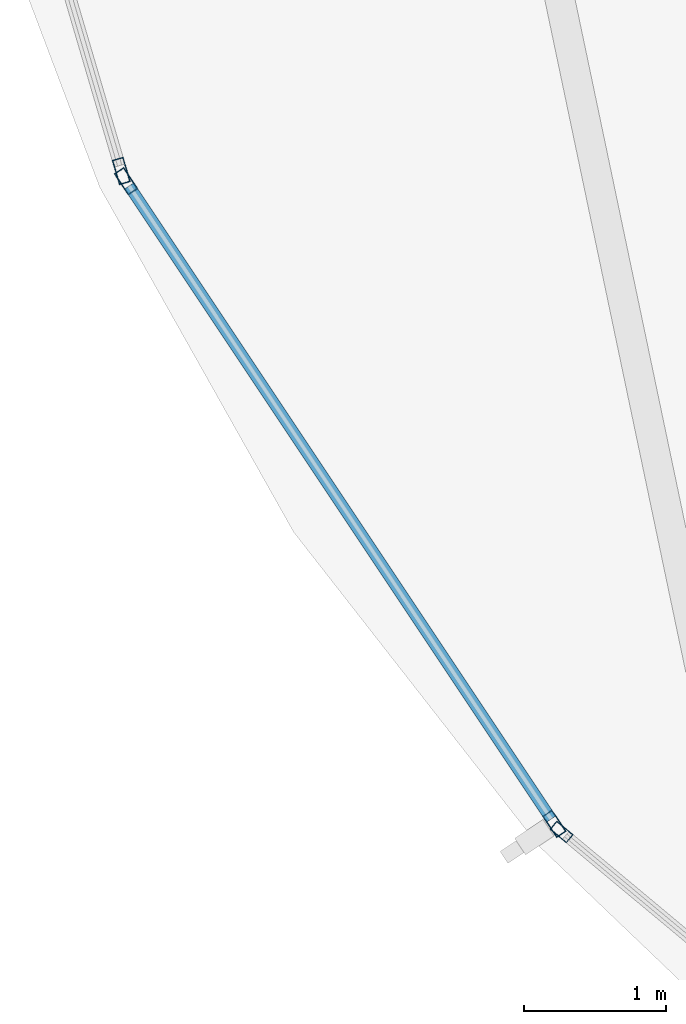
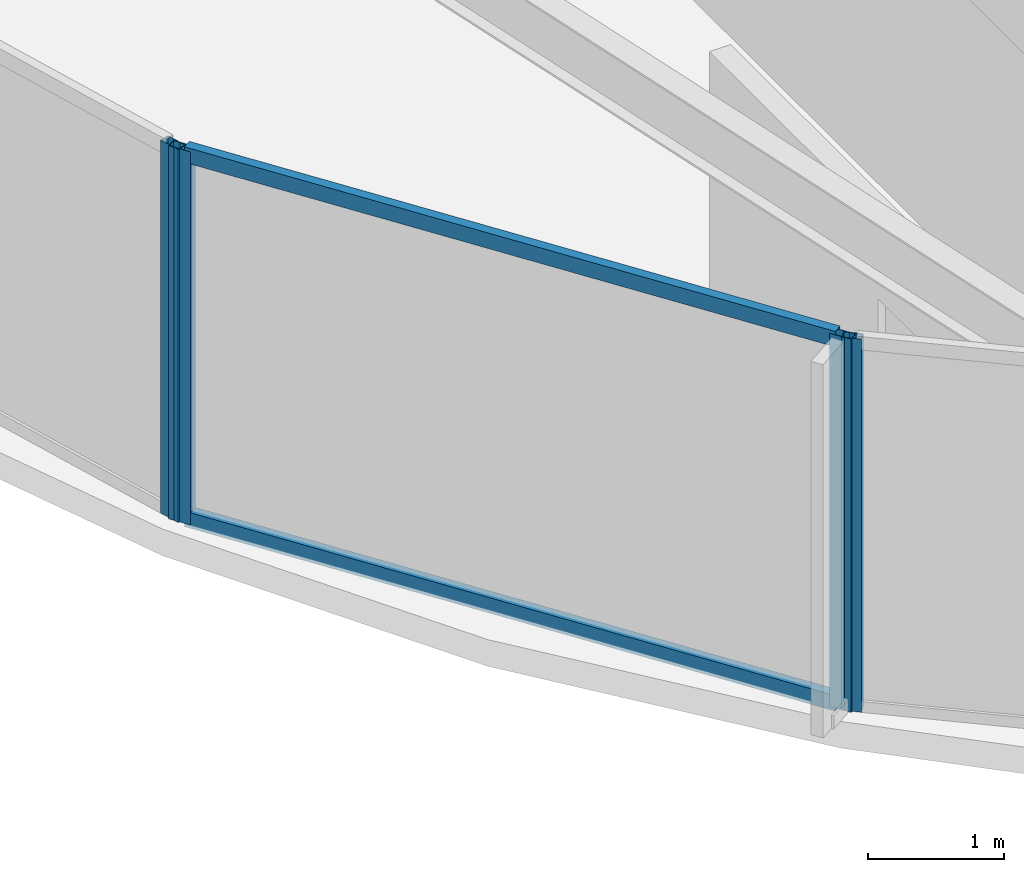
# One storey, part 3 of 31: 6 members, 3 elements without a shape of their own.
"""IFC4 building model written with IfcOpenShell, lengths in metres."""

from ifc_helpers import new_model, si_unit, direction, frame, origin, origin_2d, place, context, subcontext, project, spatial, hollow_rectangle, extrude, material, layer, layer_set, material_profile, profile_set, type_object, element, aggregate, save


model = new_model("IFC4")

# Units and contexts
model_context = context("Model", 3, precision=1e-05, world=origin(), true_north=direction((0.0, 1.0)))
body_context = subcontext(model_context, "Body", "Model", "MODEL_VIEW")
ifc_project = project(units=[si_unit("LENGTHUNIT", "METRE"), si_unit("AREAUNIT", "SQUARE_METRE"), si_unit("VOLUMEUNIT", "CUBIC_METRE"), si_unit("PLANEANGLEUNIT", "RADIAN"), si_unit("MASSUNIT", "GRAM", prefix="KILO")], contexts=[model_context])

# Site, building, storey
site_placement = place(None, origin())
site = spatial("IfcSite", under=ifc_project, at=site_placement, CompositionType="ELEMENT")
building_placement = place(site_placement, origin())
building = spatial("IfcBuilding", under=site, at=building_placement, Name="Kazevale Care Tower and Concert Hall", CompositionType="ELEMENT")
storey_placement = place(building_placement, frame((0.0, 0.0, 206.39990234375)))
storey = spatial("IfcBuildingStorey", under=building, at=storey_placement, Name="L54", CompositionType="ELEMENT", Elevation=206.39990234375)

# Curtain wall, members
ifc_material_1 = material(Name="Aluminium 6063-T6 and Low-E Glass", Category="aluminium")
ifc_layer_1 = layer(ifc_material_1, 0.179931640625)
ifc_layer_set_1 = layer_set([ifc_layer_1], Name="Aluminium 6063-T6 and Low-E Glass")
curtain_wall_type_1 = type_object("IfcCurtainWallType", Name="Waist & Upper Residential Curtain Wall CW-4", PredefinedType="NOTDEFINED", material=ifc_layer_set_1)
curtain_wall_1_placement = place(storey_placement, origin())
curtain_wall_1 = element("IfcCurtainWall", 1, at=curtain_wall_1_placement, inside=storey, type_object=curtain_wall_type_1, Name="cw:L54:f11", PredefinedType="NOTDEFINED")
ifc_material_2 = material(Name="Aluminium 6063-T6", Category="aluminium")
ifc_material_profile_1 = material_profile(ifc_material_2, hollow_rectangle(XDim=0.080078125, YDim=0.179931640625, WallThickness=0.0048828125, at=origin_2d()), Name="ALU80x180x5")
ifc_profile_set_1 = profile_set([ifc_material_profile_1], Name="Aluminium 6063-T6")
member_type_1 = type_object("IfcMemberType", Name="CW-4 Mullion ALU80x180x5", PredefinedType="MULLION", material=ifc_profile_set_1)
member_1_placement = place(storey_placement, frame((18.185791015625, 25.26318359375, 0.0), z_axis=(0.0, 0.0, 1.0), x_axis=(-0.832106058512, -0.554616540853, 0.0)))
member_1 = element("IfcMember", 2, at=member_1_placement, type_object=member_type_1, Name="CW-4 mullion 1", PredefinedType="MULLION", context=body_context, shape_type="SweptSolid", body=[
    extrude(hollow_rectangle(XDim=0.080078125, YDim=0.179931640625, WallThickness=0.0048828125, at=origin_2d()), origin(), (0.0, 0.0, 1.0), 3.360107421875),
])
member_2_placement = place(storey_placement, frame((15.170166015625, 29.78759765625, 0.0), z_axis=(0.0, 0.0, 1.0), x_axis=(-0.832106058512, -0.554616540853, 0.0)))
member_2 = element("IfcMember", 3, at=member_2_placement, type_object=member_type_1, Name="CW-4 mullion 2", PredefinedType="MULLION", context=body_context, shape_type="SweptSolid", body=[
    extrude(hollow_rectangle(XDim=0.080078125, YDim=0.179931640625, WallThickness=0.0048828125, at=origin_2d()), origin(), (0.0, 0.0, 1.0), 3.360107421875),
])

# Curtain wall, member
curtain_wall_2_placement = place(storey_placement, origin())
curtain_wall_2 = element("IfcCurtainWall", 4, at=curtain_wall_2_placement, inside=storey, type_object=curtain_wall_type_1, Name="cw:L54:f12", PredefinedType="NOTDEFINED")
member_3_placement = place(storey_placement, frame((15.13671875, 29.859375, 0.0), z_axis=(0.0, 0.0, 1.0), x_axis=(-0.959385539982, -0.282098184457, 0.0)))
member_3 = element("IfcMember", 5, at=member_3_placement, type_object=member_type_1, Name="CW-4 mullion 1", PredefinedType="MULLION", context=body_context, shape_type="SweptSolid", body=[
    extrude(hollow_rectangle(XDim=0.080078125, YDim=0.179931640625, WallThickness=0.0048828125, at=origin_2d()), origin(), (0.0, 0.0, 1.0), 3.360107421875),
])
aggregate(curtain_wall_2, [member_3])

# Member
ifc_material_profile_2 = material_profile(ifc_material_2, hollow_rectangle(XDim=0.080078125, YDim=0.139892578125, WallThickness=0.00390625, at=origin_2d()), Name="ALU80x140x4")
ifc_profile_set_2 = profile_set([ifc_material_profile_2], Name="Aluminium 6063-T6")
member_type_2 = type_object("IfcMemberType", Name="CW-4 Transom ALU80x140x4", PredefinedType="USERDEFINED", material=ifc_profile_set_2)
member_4_placement = place(storey_placement, frame((18.16357421875, 25.296630859375, 0.0400390625), z_axis=(-0.554616059735, 0.832106379187, 0.0), x_axis=(-0.832106379187, -0.554616059735, 0.0)))
member_4 = element("IfcMember", 6, at=member_4_placement, type_object=member_type_2, Name="CW-4 transom 1.1", ObjectType="TRANSOM", PredefinedType="USERDEFINED", context=body_context, shape_type="SweptSolid", body=[
    extrude(hollow_rectangle(XDim=0.080078125, YDim=0.139892578125, WallThickness=0.00390625, at=origin_2d()), origin(), (0.0, 0.0, 1.0), 5.357177734375),
])

member_5_placement = place(storey_placement, frame((18.16357421875, 25.296630859375, 3.320068359375), z_axis=(-0.554616059735, 0.832106379187, 0.0), x_axis=(-0.832106379187, -0.554616059735, 0.0)))
member_5 = element("IfcMember", 7, at=member_5_placement, type_object=member_type_2, Name="CW-4 transom 1.2", ObjectType="TRANSOM", PredefinedType="USERDEFINED", context=body_context, shape_type="SweptSolid", body=[
    extrude(hollow_rectangle(XDim=0.080078125, YDim=0.139892578125, WallThickness=0.00390625, at=origin_2d()), origin(), (0.0, 0.0, 1.0), 5.357177734375),
])

aggregate(curtain_wall_1, [member_1, member_2, member_4, member_5])

# Curtain wall, member
ifc_layer_2 = layer(ifc_material_1, 0.179931640625)
ifc_layer_set_2 = layer_set([ifc_layer_2], Name="Aluminium 6063-T6 and Low-E Glass")
curtain_wall_type_2 = type_object("IfcCurtainWallType", Name="Sheltered Concave Balcony Curtain Wall CW-5", PredefinedType="NOTDEFINED", material=ifc_layer_set_2)
curtain_wall_3_placement = place(storey_placement, origin())
curtain_wall_3 = element("IfcCurtainWall", 8, at=curtain_wall_3_placement, inside=storey, type_object=curtain_wall_type_2, Name="cw:L54:f10", PredefinedType="NOTDEFINED")
ifc_material_profile_3 = material_profile(ifc_material_2, hollow_rectangle(XDim=0.074951171875, YDim=0.14990234375, WallThickness=0.00390625, at=origin_2d()), Name="ALU75x150x4")
ifc_profile_set_3 = profile_set([ifc_material_profile_3], Name="Aluminium 6063-T6")
member_type_3 = type_object("IfcMemberType", Name="CW-5 Mullion ALU75x150x4", PredefinedType="MULLION", material=ifc_profile_set_3)
member_6_placement = place(storey_placement, frame((18.23681640625, 25.2060546875, 0.0), z_axis=(0.0, 0.0, 1.0), x_axis=(-0.639961217204, -0.768407210062, 0.0)))
member_6 = element("IfcMember", 9, at=member_6_placement, type_object=member_type_3, Name="CW-5 mullion 2", PredefinedType="MULLION", context=body_context, shape_type="SweptSolid", body=[
    extrude(hollow_rectangle(XDim=0.074951171875, YDim=0.14990234375, WallThickness=0.00390625, at=origin_2d()), origin(), (0.0, 0.0, 1.0), 3.360107421875),
])
aggregate(curtain_wall_3, [member_6])

save(model, "model.ifc")
